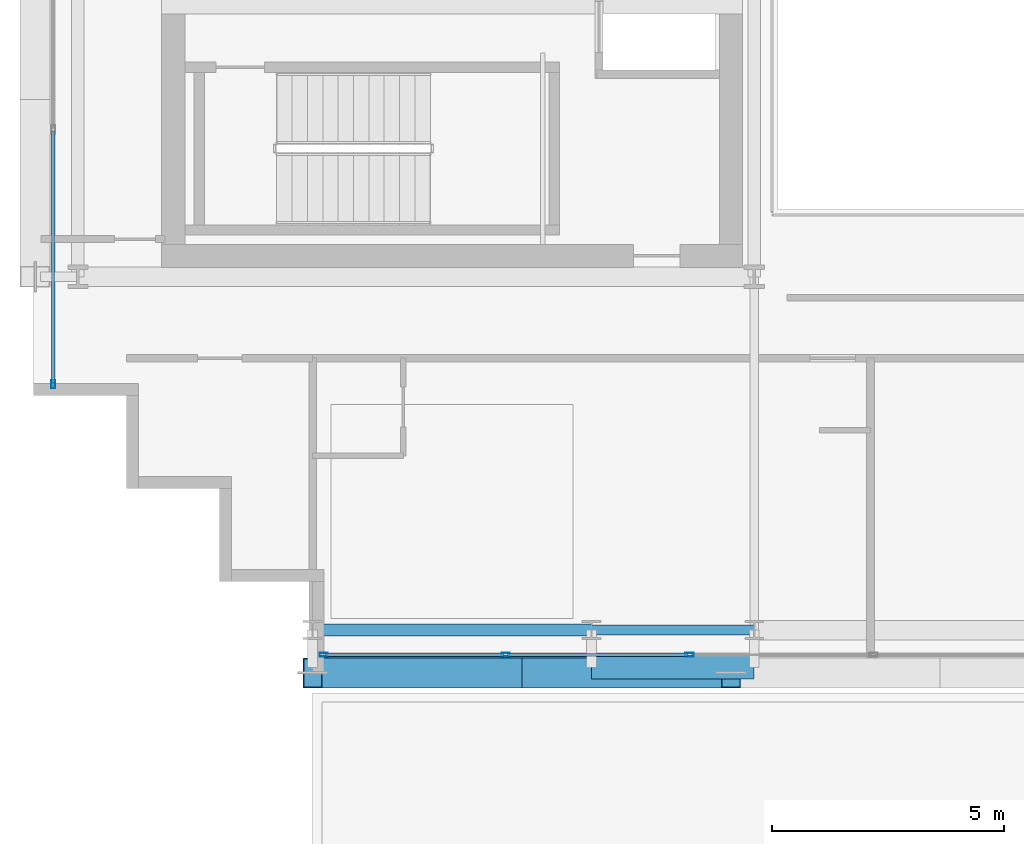
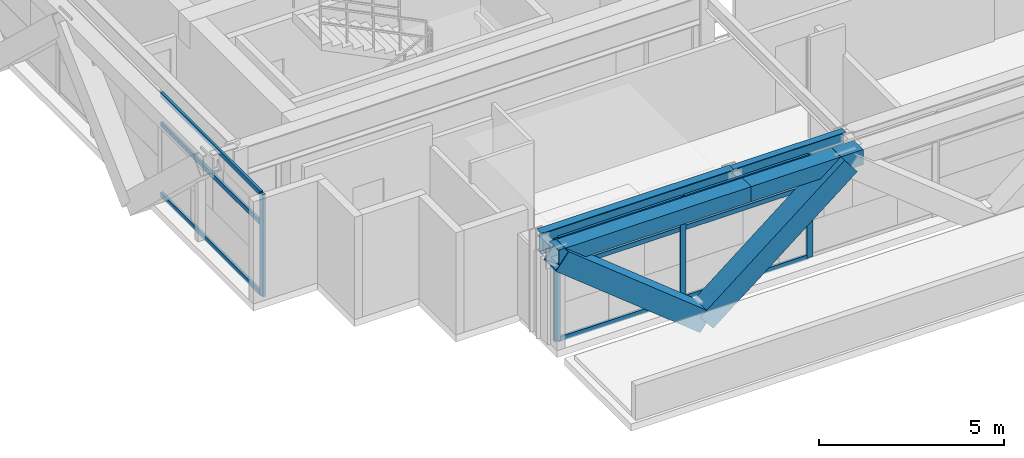
# One storey, part 2 of 34: 15 members, 4 beams, 2 elements without a shape of their own.
"""IFC4 building model written with IfcOpenShell, lengths in metres."""

from ifc_helpers import new_model, si_unit, direction, frame, origin, origin_2d, place, context, subcontext, project, spatial, hollow_rectangle, i_section, extrude, source, transform, mapped, material, layer, layer_set, material_profile, profile_set, type_object, element, aggregate, save


model = new_model("IFC4")

# Units and contexts
model_context = context("Model", 3, precision=1e-05, world=origin(), true_north=direction((0.0, 1.0)))
body_context = subcontext(model_context, "Body", "Model", "MODEL_VIEW")
ifc_project = project(units=[si_unit("LENGTHUNIT", "METRE"), si_unit("AREAUNIT", "SQUARE_METRE"), si_unit("VOLUMEUNIT", "CUBIC_METRE"), si_unit("PLANEANGLEUNIT", "RADIAN"), si_unit("MASSUNIT", "GRAM", prefix="KILO")], contexts=[model_context])

# Site, building, storey
site_placement = place(None, origin())
site = spatial("IfcSite", under=ifc_project, at=site_placement, CompositionType="ELEMENT")
building_placement = place(site_placement, origin())
building = spatial("IfcBuilding", under=site, at=building_placement, Name="Ocotamira Hotel", CompositionType="ELEMENT")
storey_placement = place(building_placement, frame((0.0, 0.0, 163.199951171875)))
storey = spatial("IfcBuildingStorey", under=building, at=storey_placement, Name="L40", CompositionType="ELEMENT", Elevation=163.199951171875)

# Beams
ifc_material_1 = material(Name="Steel ASTM A992 Grade 50", Category="steel")
ifc_material_profile_1 = material_profile(ifc_material_1, i_section(OverallWidth=0.256103515625, OverallDepth=0.693115234375, WebThickness=0.014404296875, FlangeThickness=0.023681640625, FilletRadius=0.01611328125, at=origin_2d()), Name="W27X114")
ifc_profile_set_1 = profile_set([ifc_material_profile_1], Name="Steel ASTM A992 Grade 50")
beam_type_1 = type_object("IfcBeamType", Name="BM-PRIM-W27X114", PredefinedType="BEAM", material=ifc_profile_set_1)
shared_shape_1 = source(origin(), body_context, "Body", "SweptSolid", [
    extrude(i_section(OverallWidth=0.256103515625, OverallDepth=0.693115234375, WebThickness=0.014404296875, FlangeThickness=0.023681640625, FilletRadius=0.01611328125, at=origin_2d()), origin(), (0.0, 0.0, 1.0), 6.0),
])
beam_1_placement = place(storey_placement, frame((14.0, 6.949951171875, 3.0234375), z_axis=(1.0, 0.0, 0.0), x_axis=(0.0, 1.0, 0.0)))
element("IfcBeam", 1, at=beam_1_placement, inside=storey, type_object=beam_type_1, Name="L40 Girder Y6.95 X14-20", PredefinedType="BEAM", context=body_context, shape_type="MappedRepresentation", body=[
    mapped(shared_shape_1, transform((0.0, 0.0, 0.0), scale=1.0)),
])
ifc_material_profile_2 = material_profile(ifc_material_1, i_section(OverallWidth=0.2099609375, OverallDepth=0.537109375, WebThickness=0.010986328125, FlangeThickness=0.017333984375, FilletRadius=0.012939453125, at=origin_2d()), Name="W21X68")
ifc_profile_set_2 = profile_set([ifc_material_profile_2], Name="Steel ASTM A992 Grade 50")
beam_type_2 = type_object("IfcBeamType", Name="BM-SEC-W21X68", PredefinedType="JOIST", material=ifc_profile_set_2)
shared_shape_2 = source(origin(), body_context, "Body", "SweptSolid", [
    extrude(i_section(OverallWidth=0.2099609375, OverallDepth=0.537109375, WebThickness=0.010986328125, FlangeThickness=0.017333984375, FilletRadius=0.012939453125, at=origin_2d()), origin(), (0.0, 0.0, 1.0), 3.5),
])
beam_2_placement = place(storey_placement, frame((20.0, 6.949951171875, 3.1015625), z_axis=(1.0, 0.0, 0.0), x_axis=(0.0, 1.0, 0.0)))
element("IfcBeam", 2, at=beam_2_placement, inside=storey, type_object=beam_type_2, Name="L40 Girder Y6.95 X20-23.5", PredefinedType="JOIST", context=body_context, shape_type="MappedRepresentation", body=[
    mapped(shared_shape_2, transform((0.0, 0.0, 0.0), scale=1.0)),
])
ifc_material_2 = material(Name="Steel ASTM A500 Grade C", Category="steel")
ifc_material_profile_3 = material_profile(ifc_material_2, hollow_rectangle(XDim=0.5, YDim=0.5, WallThickness=0.02001953125, at=origin_2d()), Name="HSS500X500X20")
ifc_profile_set_3 = profile_set([ifc_material_profile_3], Name="Steel ASTM A500 Grade C")
beam_type_3 = type_object("IfcBeamType", Name="BM-SPAN-HSS500", PredefinedType="USERDEFINED", material=ifc_profile_set_3)
shared_shape_3 = source(origin(), body_context, "Body", "SweptSolid", [
    extrude(hollow_rectangle(XDim=0.5, YDim=0.5, WallThickness=0.02001953125, at=origin_2d()), origin(), (0.0, 0.0, 1.0), 6.0),
])
beam_3_placement = place(storey_placement, frame((14.0, 6.14990234375, 3.1201171875), z_axis=(1.0, 0.0, 0.0), x_axis=(0.0, 1.0, 0.0)))
element("IfcBeam", 3, at=beam_3_placement, inside=storey, type_object=beam_type_3, Name="L40 Edge Spandrel S X14-20", ObjectType="SPANDREL", PredefinedType="USERDEFINED", context=body_context, shape_type="MappedRepresentation", body=[
    mapped(shared_shape_3, transform((0.0, 0.0, 0.0), scale=1.0)),
])
shared_shape_4 = source(origin(), body_context, "Body", "SweptSolid", [
    extrude(hollow_rectangle(XDim=0.5, YDim=0.5, WallThickness=0.02001953125, at=origin_2d()), origin(), (0.0, 0.0, 1.0), 3.5),
])
beam_4_placement = place(storey_placement, frame((20.0, 6.14990234375, 3.1201171875), z_axis=(1.0, 0.0, 0.0), x_axis=(0.0, 1.0, 0.0)))
element("IfcBeam", 4, at=beam_4_placement, inside=storey, type_object=beam_type_3, Name="L40 Edge Spandrel S X20-23.5", ObjectType="SPANDREL", PredefinedType="USERDEFINED", context=body_context, shape_type="MappedRepresentation", body=[
    mapped(shared_shape_4, transform((0.0, 0.0, 0.0), scale=1.0)),
])

# Members
ifc_material_3 = material(Name="Pale-metal coated steel ASTM A913 Grade 65", Category="steel")
ifc_material_profile_4 = material_profile(ifc_material_3, hollow_rectangle(XDim=0.64990234375, YDim=0.64990234375, WallThickness=0.02197265625, at=origin_2d()), Name="BOX650X650X22")
ifc_profile_set_4 = profile_set([ifc_material_profile_4], Name="Pale-metal coated steel ASTM A913 Grade 65")
member_type_1 = type_object("IfcMemberType", Name="MEM-EXO-BOX650", PredefinedType="BRACE", material=ifc_profile_set_4)
shared_shape_5 = source(origin(), body_context, "Body", "SweptSolid", [
    extrude(hollow_rectangle(XDim=0.64990234375, YDim=0.64990234375, WallThickness=0.02197265625, at=origin_2d()), origin(), (0.0, 0.0, 1.0), 5.762939453125),
])
for number, where, z_axis, x_axis, name in (
    (5, (18.5, 6.030029296875, -0.47998046875), (-0.780860543151, 0.0, 0.624705380279), (0.0, -1.0, 0.0), "L40 Exoskeleton Diagrid S0.1"),
    (6, (18.5, 6.030029296875, -0.47998046875), (0.780860543151, 0.0, 0.624705380279), (0.0, 1.0, 0.0), "L40 Exoskeleton Diagrid S0.2"),
):
    element("IfcMember", number, at=place(storey_placement, frame(where, z_axis=z_axis, x_axis=x_axis)), inside=storey, type_object=member_type_1, Name=name, PredefinedType="BRACE", context=body_context, shape_type="MappedRepresentation", body=[
        mapped(shared_shape_5, transform((0.0, 0.0, 0.0), scale=1.0)),
    ])

# Curtain wall, members
ifc_material_4 = material(Name="Anodised pale-metal aluminium and solar glass", Category="aluminium")
ifc_layer = layer(ifc_material_4, 0.199951171875)
ifc_layer_set = layer_set([ifc_layer], Name="Anodised pale-metal aluminium and solar glass")
curtain_wall_type = type_object("IfcCurtainWallType", Name="CW-SYS4-Z3", PredefinedType="NOTDEFINED", material=ifc_layer_set)
curtain_wall_1_placement = place(storey_placement, origin())
curtain_wall_1 = element("IfcCurtainWall", 7, at=curtain_wall_1_placement, inside=storey, type_object=curtain_wall_type, Name="L40 Curtain Wall CW-4 CW-L40-S1", PredefinedType="NOTDEFINED")
ifc_material_5 = material(Name="Anodised pale-metal aluminium 6063-T6", Category="aluminium")
ifc_material_profile_5 = material_profile(ifc_material_5, hollow_rectangle(XDim=0.074951171875, YDim=0.14990234375, WallThickness=0.006103515625, at=origin_2d()), Name="HSS150X75X6")
ifc_profile_set_5 = profile_set([ifc_material_profile_5], Name="Anodised pale-metal aluminium 6063-T6")
member_type_2 = type_object("IfcMemberType", Name="CWT-150X75", PredefinedType="USERDEFINED", material=ifc_profile_set_5)
shared_shape_6 = source(origin(), body_context, "Body", "SweptSolid", [
    extrude(hollow_rectangle(XDim=0.074951171875, YDim=0.14990234375, WallThickness=0.006103515625, at=origin_2d()), origin(), (0.0, 0.0, 1.0), 3.83544921875),
])
member_1_placement = place(storey_placement, frame((14.280029296875, 6.419921875, 0.03759765625), z_axis=(1.0, 0.0, 0.0), x_axis=(0.0, 1.0, 0.0)))
member_1 = element("IfcMember", 8, at=member_1_placement, type_object=member_type_2, Name="CW-4 transom 1.1", ObjectType="TRANSOM", PredefinedType="USERDEFINED", context=body_context, shape_type="MappedRepresentation", body=[
    mapped(shared_shape_6, transform((0.0, 0.0, 0.0), scale=1.0)),
])
member_2_placement = place(storey_placement, frame((14.280029296875, 6.419921875, 2.35009765625), z_axis=(1.0, 0.0, 0.0), x_axis=(0.0, 1.0, 0.0)))
member_2 = element("IfcMember", 9, at=member_2_placement, type_object=member_type_2, Name="CW-4 transom 1.2", ObjectType="TRANSOM", PredefinedType="USERDEFINED", context=body_context, shape_type="MappedRepresentation", body=[
    mapped(shared_shape_6, transform((0.0, 0.0, 0.0), scale=1.0)),
])
member_3_placement = place(storey_placement, frame((14.280029296875, 6.419921875, 3.33251953125), z_axis=(1.0, 0.0, 0.0), x_axis=(0.0, 1.0, 0.0)))
member_3 = element("IfcMember", 10, at=member_3_placement, type_object=member_type_2, Name="CW-4 transom 1.3", ObjectType="TRANSOM", PredefinedType="USERDEFINED", context=body_context, shape_type="MappedRepresentation", body=[
    mapped(shared_shape_6, transform((0.0, 0.0, 0.0), scale=1.0)),
])
shared_shape_7 = source(origin(), body_context, "Body", "SweptSolid", [
    extrude(hollow_rectangle(XDim=0.074951171875, YDim=0.14990234375, WallThickness=0.006103515625, at=origin_2d()), origin(), (0.0, 0.0, 1.0), 3.87548828125),
])
member_4_placement = place(storey_placement, frame((18.195556640625, 6.419921875, 0.03759765625), z_axis=(1.0, 0.0, 0.0), x_axis=(0.0, 1.0, 0.0)))
member_4 = element("IfcMember", 11, at=member_4_placement, type_object=member_type_2, Name="CW-4 transom 2.1", ObjectType="TRANSOM", PredefinedType="USERDEFINED", context=body_context, shape_type="MappedRepresentation", body=[
    mapped(shared_shape_7, transform((0.0, 0.0, 0.0), scale=1.0)),
])
member_5_placement = place(storey_placement, frame((18.195556640625, 6.419921875, 2.35009765625), z_axis=(1.0, 0.0, 0.0), x_axis=(0.0, 1.0, 0.0)))
member_5 = element("IfcMember", 12, at=member_5_placement, type_object=member_type_2, Name="CW-4 transom 2.2", ObjectType="TRANSOM", PredefinedType="USERDEFINED", context=body_context, shape_type="MappedRepresentation", body=[
    mapped(shared_shape_7, transform((0.0, 0.0, 0.0), scale=1.0)),
])
member_6_placement = place(storey_placement, frame((18.195556640625, 6.419921875, 3.33251953125), z_axis=(1.0, 0.0, 0.0), x_axis=(0.0, 1.0, 0.0)))
member_6 = element("IfcMember", 13, at=member_6_placement, type_object=member_type_2, Name="CW-4 transom 2.3", ObjectType="TRANSOM", PredefinedType="USERDEFINED", context=body_context, shape_type="MappedRepresentation", body=[
    mapped(shared_shape_7, transform((0.0, 0.0, 0.0), scale=1.0)),
])
ifc_material_profile_6 = material_profile(ifc_material_5, hollow_rectangle(XDim=0.080078125, YDim=0.179931640625, WallThickness=0.006103515625, at=origin_2d()), Name="HSS180X80X6")
ifc_profile_set_6 = profile_set([ifc_material_profile_6], Name="Anodised pale-metal aluminium 6063-T6")
member_type_3 = type_object("IfcMemberType", Name="CWM-180X75", PredefinedType="MULLION", material=ifc_profile_set_6)
shared_shape_8 = source(origin(), body_context, "Body", "SweptSolid", [
    extrude(hollow_rectangle(XDim=0.080078125, YDim=0.179931640625, WallThickness=0.006103515625, at=origin_2d()), origin(), (0.0, 0.0, 1.0), 3.3701171875),
])
member_7_placement = place(storey_placement, frame((14.239990234375, 6.419921875, 0.0), z_axis=(0.0, 0.0, 1.0), x_axis=(0.0, 1.0, 0.0)))
member_7 = element("IfcMember", 14, at=member_7_placement, type_object=member_type_3, Name="CW-4 mullion 1", PredefinedType="MULLION", context=body_context, shape_type="MappedRepresentation", body=[
    mapped(shared_shape_8, transform((0.0, 0.0, 0.0), scale=1.0)),
])
member_8_placement = place(storey_placement, frame((18.155517578125, 6.419921875, 0.0), z_axis=(0.0, 0.0, 1.0), x_axis=(0.0, 1.0, 0.0)))
member_8 = element("IfcMember", 15, at=member_8_placement, type_object=member_type_3, Name="CW-4 mullion 2", PredefinedType="MULLION", context=body_context, shape_type="MappedRepresentation", body=[
    mapped(shared_shape_8, transform((0.0, 0.0, 0.0), scale=1.0)),
])
member_9_placement = place(storey_placement, frame((22.111083984375, 6.419921875, 0.0), z_axis=(0.0, 0.0, 1.0), x_axis=(0.0, 1.0, 0.0)))
member_9 = element("IfcMember", 16, at=member_9_placement, type_object=member_type_3, Name="CW-4 mullion 3", PredefinedType="MULLION", context=body_context, shape_type="MappedRepresentation", body=[
    mapped(shared_shape_8, transform((0.0, 0.0, 0.0), scale=1.0)),
])
aggregate(curtain_wall_1, [member_7, member_8, member_9, member_1, member_2, member_3, member_4, member_5, member_6])

curtain_wall_2_placement = place(storey_placement, origin())
curtain_wall_2 = element("IfcCurtainWall", 17, at=curtain_wall_2_placement, inside=storey, type_object=curtain_wall_type, Name="L40 Curtain Wall CW-4 CW-L40-W", PredefinedType="NOTDEFINED")
member_10_placement = place(storey_placement, frame((8.419921875, 12.239990234375, 0.0), z_axis=(0.0, 0.0, 1.0), x_axis=(-1.0, 0.0, 0.0)))
member_10 = element("IfcMember", 18, at=member_10_placement, type_object=member_type_3, Name="CW-4 mullion 1", PredefinedType="MULLION", context=body_context, shape_type="MappedRepresentation", body=[
    mapped(shared_shape_8, transform((0.0, 0.0, 0.0), scale=1.0)),
])
shared_shape_9 = source(origin(), body_context, "Body", "SweptSolid", [
    extrude(hollow_rectangle(XDim=0.074951171875, YDim=0.14990234375, WallThickness=0.006103515625, at=origin_2d()), origin(), (0.0, 0.0, 1.0), 5.39990234375),
])
member_11_placement = place(storey_placement, frame((8.419921875, 12.280029296875, 0.03759765625), z_axis=(0.0, 1.0, 0.0), x_axis=(-1.0, 0.0, 0.0)))
member_11 = element("IfcMember", 19, at=member_11_placement, type_object=member_type_2, Name="CW-4 transom 1.1", ObjectType="TRANSOM", PredefinedType="USERDEFINED", context=body_context, shape_type="MappedRepresentation", body=[
    mapped(shared_shape_9, transform((0.0, 0.0, 0.0), scale=1.0)),
])
member_12_placement = place(storey_placement, frame((8.419921875, 12.280029296875, 2.35009765625), z_axis=(0.0, 1.0, 0.0), x_axis=(-1.0, 0.0, 0.0)))
member_12 = element("IfcMember", 20, at=member_12_placement, type_object=member_type_2, Name="CW-4 transom 1.2", ObjectType="TRANSOM", PredefinedType="USERDEFINED", context=body_context, shape_type="MappedRepresentation", body=[
    mapped(shared_shape_9, transform((0.0, 0.0, 0.0), scale=1.0)),
])
member_13_placement = place(storey_placement, frame((8.419921875, 12.280029296875, 3.33251953125), z_axis=(0.0, 1.0, 0.0), x_axis=(-1.0, 0.0, 0.0)))
member_13 = element("IfcMember", 21, at=member_13_placement, type_object=member_type_2, Name="CW-4 transom 1.3", ObjectType="TRANSOM", PredefinedType="USERDEFINED", context=body_context, shape_type="MappedRepresentation", body=[
    mapped(shared_shape_9, transform((0.0, 0.0, 0.0), scale=1.0)),
])
aggregate(curtain_wall_2, [member_10, member_11, member_12, member_13])

save(model, "model.ifc")
